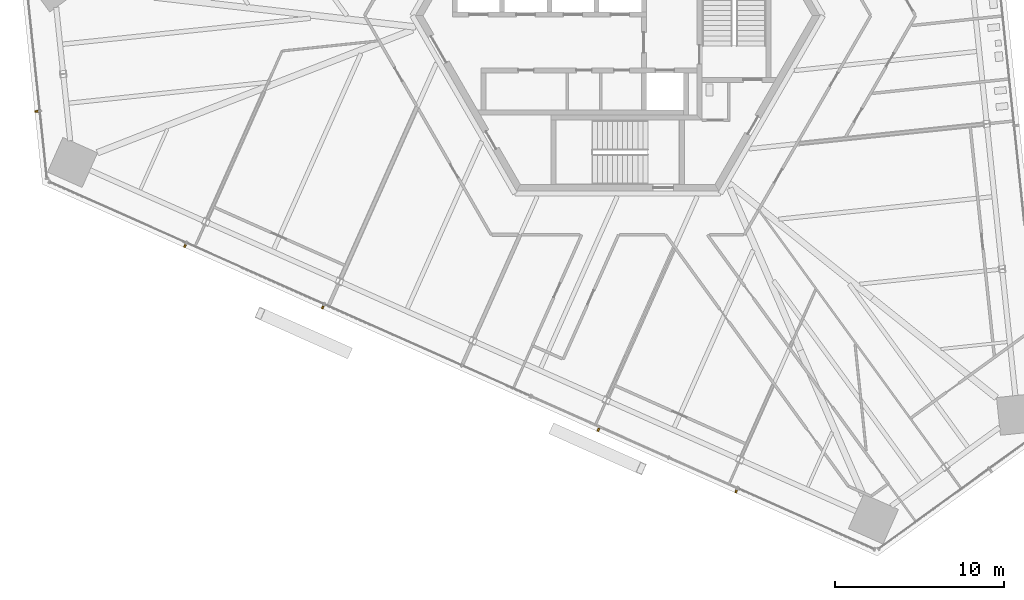
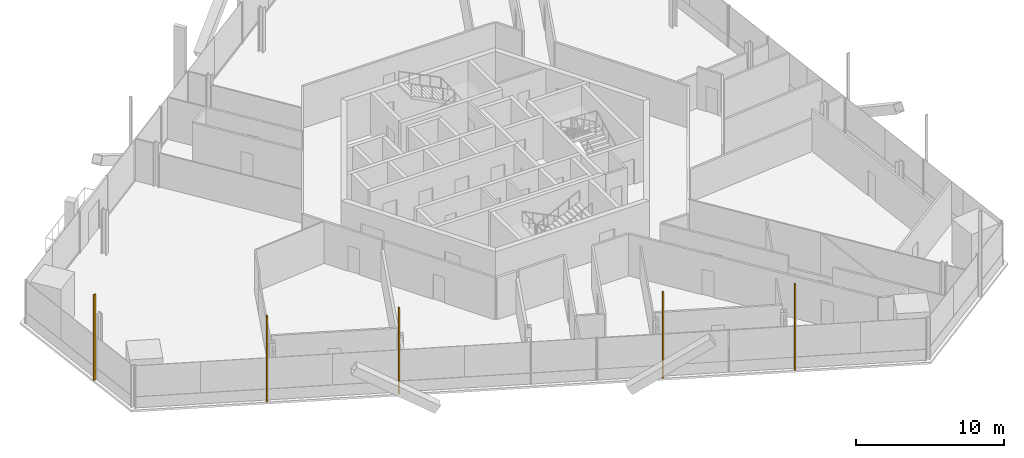
# One storey, part 15 of 21: 5 shading devices.
"""IFC4 building model written with IfcOpenShell, lengths in metres."""

from ifc_helpers import new_model, si_unit, direction, frame, origin, origin_2d, place, context, subcontext, project, spatial, rectangle, extrude, source, transform, mapped, material, element, save


model = new_model("IFC4")

# Units and contexts
model_context = context("Model", 3, precision=1e-05, world=origin(), true_north=direction((0.0, 1.0)))
body_context = subcontext(model_context, "Body", "Model", "MODEL_VIEW")
ifc_project = project(units=[si_unit("LENGTHUNIT", "METRE"), si_unit("AREAUNIT", "SQUARE_METRE"), si_unit("VOLUMEUNIT", "CUBIC_METRE"), si_unit("PLANEANGLEUNIT", "RADIAN"), si_unit("MASSUNIT", "GRAM", prefix="KILO")], contexts=[model_context])

# Site, building, storey
site_placement = place(None, origin())
site = spatial("IfcSite", under=ifc_project, at=site_placement, CompositionType="ELEMENT")
building_placement = place(site_placement, origin())
building = spatial("IfcBuilding", under=site, at=building_placement, Name="Triune Harvest Tower", CompositionType="ELEMENT")
storey_placement = place(building_placement, frame((0.0, 0.0, 80.10009765625)))
storey = spatial("IfcBuildingStorey", under=building, at=storey_placement, Name="L19", CompositionType="ELEMENT", Elevation=80.10009765625)

# Shading devices
ifc_material = material(Name="Aluminium bronze anodised", Category="aluminium")
shared_shape = source(origin(), body_context, "Body", "SweptSolid", [
    extrude(rectangle(XDim=0.10009765625, YDim=0.199951171875, at=origin_2d()), origin(), (0.0, 0.0, 1.0), 7.0400390625),
])
for number, where, z_axis, x_axis, name in (
    (1, (-34.45263671875, -5.669189453125, 0.0), (0.0, 0.0, 1.0), (0.104529462601, -0.994521790334, 0.0), "FN-1 fin B2-F4.3 L19"),
    (2, (-25.649658203125, -13.644775390625, 0.0), (0.0, 0.0, 1.0), (0.913545207137, -0.406737205721, 0.0), "FN-1 fin B2-F5.3 L19"),
    (3, (-17.4814453125, -17.281494140625, 0.0), (0.0, 0.0, 1.0), (0.913545207137, -0.406737205721, 0.0), "FN-1 fin B2-F5.5 L19"),
    (4, (-1.145263671875, -24.554931640625, 0.0), (0.0, 0.0, 1.0), (0.913545207137, -0.406737205721, 0.0), "FN-1 fin B2-F5.9 L19"),
    (5, (7.02294921875, -28.191650390625, 0.0), (0.0, 0.0, 1.0), (0.913545207137, -0.406737205721, 0.0), "FN-1 fin B2-F5.11 L19"),
):
    element("IfcShadingDevice", number, at=place(storey_placement, frame(where, z_axis=z_axis, x_axis=x_axis)), inside=storey, material=ifc_material, Name=name, ObjectType="FIN", PredefinedType="USERDEFINED", context=body_context, shape_type="MappedRepresentation", body=[
        mapped(shared_shape, transform((0.0, 0.0, 0.0), scale=1.0)),
    ])

save(model, "model.ifc")
